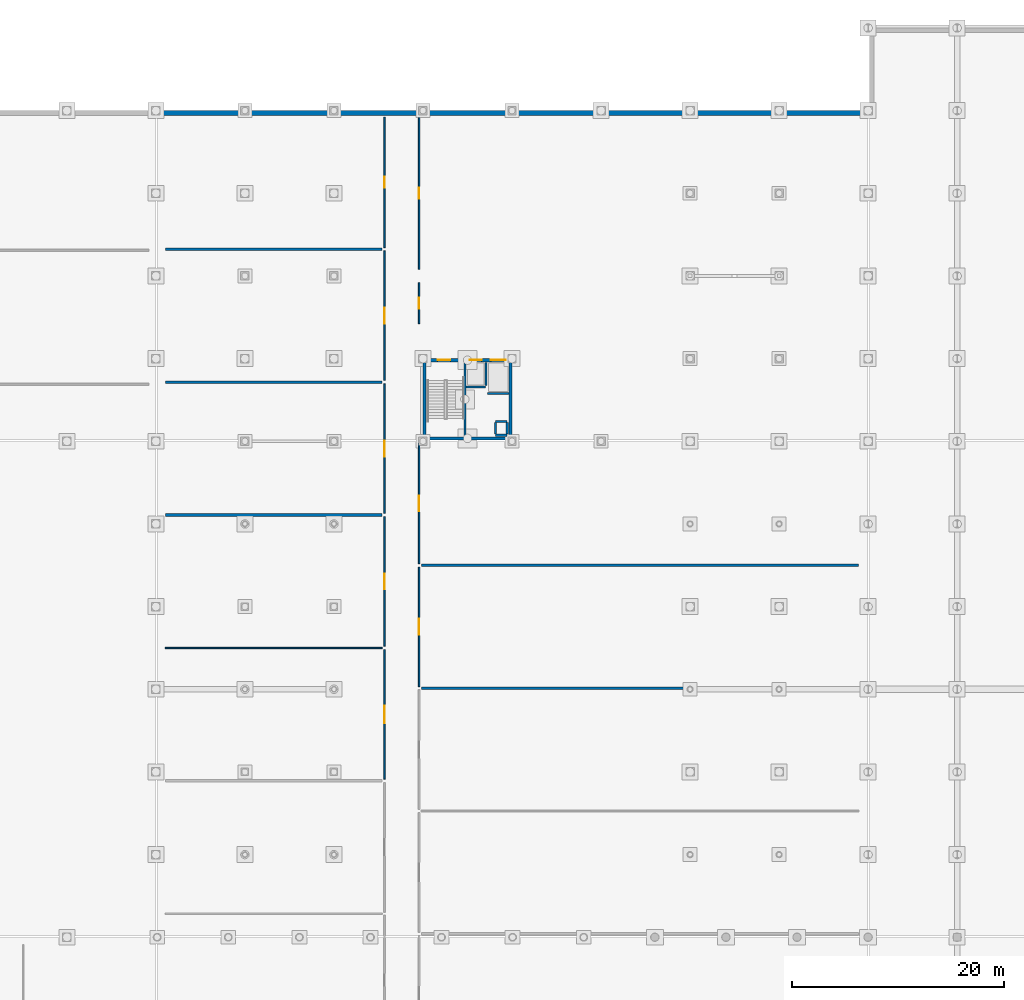
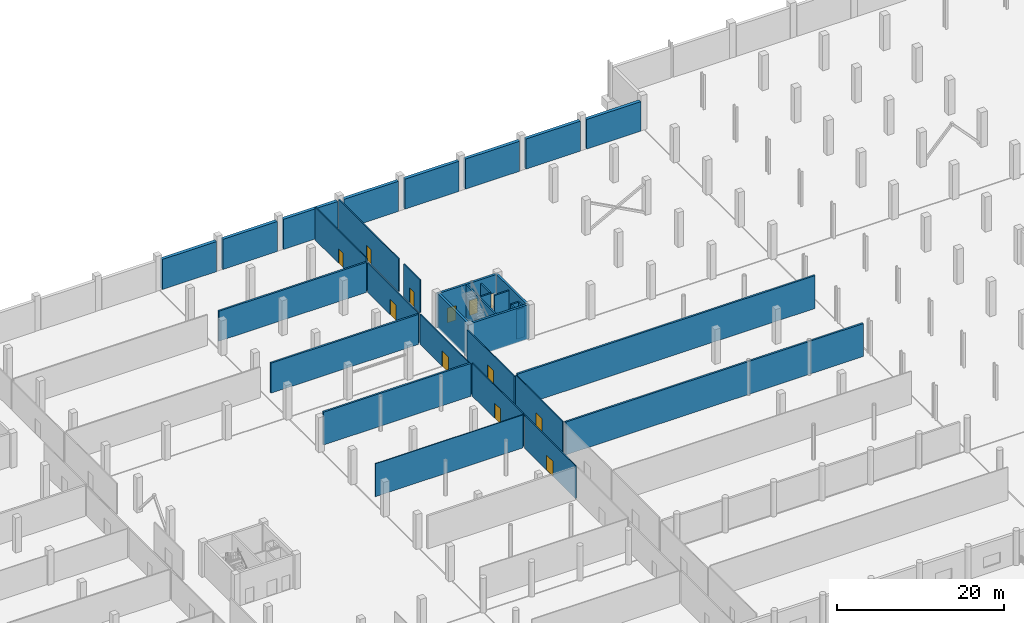
# One storey, part 31 of 48: 35 walls, 12 doors, 12 openings.
"""IFC4 building model written with IfcOpenShell, lengths in metres."""

from ifc_helpers import new_model, si_unit, direction, frame, frame_2d, origin, place, context, subcontext, project, spatial, rectangle, extrude, material, layer, layer_set, type_object, element, fill, save


model = new_model("IFC4")

# Units and contexts
model_context = context("Model", 3, precision=1e-05, world=origin(), true_north=direction((0.0, 1.0)))
body_context = subcontext(model_context, "Body", "Model", "MODEL_VIEW")
ifc_project = project(units=[si_unit("LENGTHUNIT", "METRE"), si_unit("AREAUNIT", "SQUARE_METRE"), si_unit("VOLUMEUNIT", "CUBIC_METRE"), si_unit("PLANEANGLEUNIT", "RADIAN"), si_unit("MASSUNIT", "GRAM", prefix="KILO")], contexts=[model_context])

# Site, building, storey
site_placement = place(None, origin())
site = spatial("IfcSite", under=ifc_project, at=site_placement, CompositionType="ELEMENT")
building_placement = place(site_placement, origin())
building = spatial("IfcBuilding", under=site, at=building_placement, Name="Nabrawat Pavilion Hospital", CompositionType="ELEMENT")
storey_placement = place(building_placement, frame((0.0, 0.0, -5.10009765625)))
storey = spatial("IfcBuildingStorey", under=building, at=storey_placement, Name="B1", CompositionType="ELEMENT", Elevation=-5.10009765625)

# Walls
ifc_material_1 = material(Name="Concrete C35/45", Category="concrete")
ifc_layer_1 = layer(ifc_material_1, 0.43994140625, Name="Concrete C35/45")
ifc_layer_set_1 = layer_set([ifc_layer_1], Name="Concrete C35/45")
wall_type_1 = type_object("IfcWallType", Name="Basement Deep RC Retaining Wall 440", PredefinedType="USERDEFINED", material=ifc_layer_set_1)
for number, where, z_axis, x_axis, name in (
    (1, (59.239990234375, 116.780029296875, 0.0), (0.0, 0.0, 1.0), (1.0, 0.0, 0.0), "B1 Perimeter Retaining Wall 042"),
    (2, (67.639892578125, 116.780029296875, 0.0), (0.0, 0.0, 1.0), (1.0, 0.0, 0.0), "B1 Perimeter Retaining Wall 043"),
    (3, (76.0400390625, 116.780029296875, 0.0), (0.0, 0.0, 1.0), (1.0, 0.0, 0.0), "B1 Perimeter Retaining Wall 044"),
    (4, (84.43994140625, 116.780029296875, 0.0), (0.0, 0.0, 1.0), (1.0, 0.0, 0.0), "B1 Perimeter Retaining Wall 045"),
    (5, (92.840087890625, 116.780029296875, 0.0), (0.0, 0.0, 1.0), (1.0, 0.0, 0.0), "B1 Perimeter Retaining Wall 046"),
    (6, (101.239990234375, 116.780029296875, 0.0), (0.0, 0.0, 1.0), (1.0, 0.0, 0.0), "B1 Perimeter Retaining Wall 047"),
    (7, (109.639892578125, 116.780029296875, 0.0), (0.0, 0.0, 1.0), (1.0, 0.0, 0.0), "B1 Perimeter Retaining Wall 048"),
):
    element("IfcWall", number, at=place(storey_placement, frame(where, z_axis=z_axis, x_axis=x_axis)), inside=storey, type_object=wall_type_1, Name=name, ObjectType="RETAININGWALL", PredefinedType="USERDEFINED", context=body_context, shape_type="SweptSolid", body=[
        extrude(rectangle(XDim=7.52001953125, YDim=0.43994140625, at=frame_2d((3.760009765625, 0.0))), origin(), (0.0, 0.0, 1.0), 4.41015625),
    ])
wall_1_placement = place(storey_placement, frame((118.0400390625, 116.780029296875, 0.0), z_axis=(0.0, 0.0, 1.0), x_axis=(1.0, 0.0, 0.0)))
element("IfcWall", 8, at=wall_1_placement, inside=storey, type_object=wall_type_1, Name="B1 Perimeter Retaining Wall 049", ObjectType="RETAININGWALL", PredefinedType="USERDEFINED", context=body_context, shape_type="SweptSolid", body=[
    extrude(rectangle(XDim=7.52001953125, YDim=0.43994140625, at=frame_2d((3.760009765625, 0.0))), origin(), (0.0, 0.0, 1.0), 4.330078125),
])
ifc_layer_2 = layer(ifc_material_1, 0.25, Name="Concrete C35/45")
ifc_layer_set_2 = layer_set([ifc_layer_2], Name="Concrete C35/45")
wall_type_2 = type_object("IfcWallType", Name="Basement Plant Acoustic Masonry Wall 250", PredefinedType="PARTITIONING", material=ifc_layer_set_2)
wall_2_placement = place(storey_placement, frame((59.68994140625, 78.840087890625, 0.0), z_axis=(0.0, 0.0, 1.0), x_axis=(1.0, 0.0, 0.0)))
element("IfcWall", 9, at=wall_2_placement, inside=storey, type_object=wall_type_2, Name="B1 Reverse Osmosis Dialysis Water Plant Room B1-05 Dividing Partition", PredefinedType="PARTITIONING", context=body_context, shape_type="SweptSolid", body=[
    extrude(rectangle(XDim=20.449951171875, YDim=0.25, at=frame_2d((10.22509765625, 0.0))), origin(), (0.0, 0.0, 1.0), 4.820068359375),
])
for number, where, z_axis, x_axis, name in (
    (10, (59.68994140625, 91.3798828125, 0.0), (0.0, 0.0, 1.0), (1.0, 0.0, 0.0), "B1 Sprinkler Pump and Fire Tank Plant Room B1-06 Dividing Partition"),
    (11, (59.68994140625, 103.919921875, 0.0), (0.0, 0.0, 1.0), (1.0, 0.0, 0.0), "B1 Medium Voltage Substation Switchgear Room B1-07 Dividing Partition"),
):
    element("IfcWall", number, at=place(storey_placement, frame(where, z_axis=z_axis, x_axis=x_axis)), inside=storey, type_object=wall_type_2, Name=name, PredefinedType="PARTITIONING", context=body_context, shape_type="SweptSolid", body=[
        extrude(rectangle(XDim=20.449951171875, YDim=0.25, at=frame_2d((10.22509765625, 0.0))), origin(), (0.0, 0.0, 1.0), 4.400146484375),
    ])
for number, where, z_axis, x_axis, name in (
    (12, (83.860107421875, 62.5, 0.0), (0.0, 0.0, 1.0), (1.0, 0.0, 0.0), "B1 Reverse Osmosis Dialysis Water Plant Room B1-12 Dividing Partition"),
    (13, (83.860107421875, 74.090087890625, 0.0), (0.0, 0.0, 1.0), (1.0, 0.0, 0.0), "B1 Sprinkler Pump and Fire Tank Plant Room B1-13 Dividing Partition"),
):
    element("IfcWall", number, at=place(storey_placement, frame(where, z_axis=z_axis, x_axis=x_axis)), inside=storey, type_object=wall_type_2, Name=name, PredefinedType="PARTITIONING", context=body_context, shape_type="SweptSolid", body=[
        extrude(rectangle(XDim=41.25, YDim=0.25, at=frame_2d((20.625, 0.0))), origin(), (0.0, 0.0, 1.0), 4.820068359375),
    ])

# Wall, opening, door
ifc_material_2 = material(Name="Gypsum Fireboard on Steel Stud", Category="steel")
ifc_layer_3 = layer(ifc_material_2, 0.14990234375, Name="Gypsum Fireboard on Steel Stud")
ifc_layer_set_3 = layer_set([ifc_layer_3], Name="Gypsum Fireboard on Steel Stud")
wall_type_3 = type_object("IfcWallType", Name="Clinical Corridor Smoke-Barrier Wall 150", PredefinedType="PARTITIONING", material=ifc_layer_set_3)
wall_3_placement = place(storey_placement, frame((80.360107421875, 53.919921875, 0.0), z_axis=(0.0, 0.0, 1.0), x_axis=(0.0, 1.0, 0.0)))
wall_3 = element("IfcWall", 14, at=wall_3_placement, inside=storey, type_object=wall_type_3, Name="B1 Bulk Surgical Consumables Warehouse B1-04 Front Partition", PredefinedType="PARTITIONING", context=body_context, shape_type="SweptSolid", body=[
    extrude(rectangle(XDim=12.219970703125, YDim=0.14990234375, at=frame_2d((6.10986328125, 0.0))), origin(), (0.0, 0.0, 1.0), 4.820068359375),
])
opening_1_placement = place(wall_3_placement, frame((5.284912109375, 0.0, 0.0)))
opening_1 = element("IfcOpeningElement", 15, at=opening_1_placement, cuts=wall_3, Name="Opening D-STRG", PredefinedType="OPENING", context=body_context, shape_type="SweptSolid", body=[
    extrude(rectangle(XDim=1.64990234375, YDim=2.199951171875, at=frame_2d((0.824951171875, 1.10009765625))), frame((0.0, 0.0849609375, 0.0), z_axis=(0.0, -1.0, 0.0), x_axis=(1.0, 0.0, 0.0)), (0.0, 0.0, 1.0), 0.169921875),
])
ifc_material_3 = material(Name="Stainless-Clad Acoustic Timber and Vision Glass", Category="wood")
door_type_1 = type_object("IfcDoorType", Name="Bulk Medical Store Double Door 1650x2200", OperationType="NOTDEFINED", PredefinedType="DOOR", material=ifc_material_3)
door_1_placement = place(opening_1_placement, origin())
door_1 = element("IfcDoor", 16, at=door_1_placement, inside=storey, type_object=door_type_1, Name="Bulk Surgical Consumables Warehouse B1-04 Door", OperationType="DOUBLE_DOOR_SINGLE_SWING", OverallHeight=2.199951171875, OverallWidth=1.64990234375, PredefinedType="DOOR", context=body_context, shape_type="SweptSolid", body=[
    extrude(rectangle(XDim=1.64990234375, YDim=2.199951171875, at=frame_2d((0.824951171875, 1.10009765625))), frame((0.0, 0.02490234375, 0.0), z_axis=(0.0, -1.0, 0.0), x_axis=(1.0, 0.0, 0.0)), (0.0, 0.0, 1.0), 0.050048828125),
])
fill(opening_1, door_1)

wall_4_placement = place(storey_placement, frame((80.360107421875, 66.4599609375, 0.0), z_axis=(0.0, 0.0, 1.0), x_axis=(0.0, 1.0, 0.0)))
wall_4 = element("IfcWall", 17, at=wall_4_placement, inside=storey, type_object=wall_type_3, Name="B1 Reverse Osmosis Dialysis Water Plant Room B1-05 Front Partition", PredefinedType="PARTITIONING", context=body_context, shape_type="SweptSolid", body=[
    extrude(rectangle(XDim=12.219970703125, YDim=0.14990234375, at=frame_2d((6.10986328125, 0.0))), origin(), (0.0, 0.0, 1.0), 4.820068359375),
])
opening_2_placement = place(wall_4_placement, frame((5.360107421875, 0.0, 0.0)))
opening_2 = element("IfcOpeningElement", 18, at=opening_2_placement, cuts=wall_4, Name="Opening D-PLANT", PredefinedType="OPENING", context=body_context, shape_type="SweptSolid", body=[
    extrude(rectangle(XDim=1.5, YDim=2.25, at=frame_2d((0.75, 1.125))), frame((0.0, 0.0849609375, 0.0), z_axis=(0.0, -1.0, 0.0), x_axis=(1.0, 0.0, 0.0)), (0.0, 0.0, 1.0), 0.169921875),
])
door_type_2 = type_object("IfcDoorType", Name="D-PLANT Heavy Plant Room Steel Fire Door 1500x2250", OperationType="NOTDEFINED", PredefinedType="DOOR", material=ifc_material_3)
door_2_placement = place(opening_2_placement, origin())
door_2 = element("IfcDoor", 19, at=door_2_placement, inside=storey, type_object=door_type_2, Name="Reverse Osmosis Dialysis Water Plant Room B1-05 Door", OperationType="DOUBLE_DOOR_SINGLE_SWING", OverallHeight=2.25, OverallWidth=1.5, PredefinedType="DOOR", context=body_context, shape_type="SweptSolid", body=[
    extrude(rectangle(XDim=1.5, YDim=2.25, at=frame_2d((0.75, 1.125))), frame((0.0, 0.02490234375, 0.0), z_axis=(0.0, -1.0, 0.0), x_axis=(1.0, 0.0, 0.0)), (0.0, 0.0, 1.0), 0.050048828125),
])
fill(opening_2, door_2)

wall_5_placement = place(storey_placement, frame((80.360107421875, 79.0, 0.0), z_axis=(0.0, 0.0, 1.0), x_axis=(0.0, 1.0, 0.0)))
wall_5 = element("IfcWall", 20, at=wall_5_placement, inside=storey, type_object=wall_type_3, Name="B1 Sprinkler Pump and Fire Tank Plant Room B1-06 Front Partition", PredefinedType="PARTITIONING", context=body_context, shape_type="SweptSolid", body=[
    extrude(rectangle(XDim=12.219970703125, YDim=0.14990234375, at=frame_2d((6.10986328125, 0.0))), origin(), (0.0, 0.0, 1.0), 4.41015625),
])
opening_3_placement = place(wall_5_placement, frame((5.360107421875, 0.0, 0.0)))
opening_3 = element("IfcOpeningElement", 21, at=opening_3_placement, cuts=wall_5, Name="Opening D-PLANT", PredefinedType="OPENING", context=body_context, shape_type="SweptSolid", body=[
    extrude(rectangle(XDim=1.5, YDim=2.25, at=frame_2d((0.75, 1.125))), frame((0.0, 0.0849609375, 0.0), z_axis=(0.0, -1.0, 0.0), x_axis=(1.0, 0.0, 0.0)), (0.0, 0.0, 1.0), 0.169921875),
])
door_3_placement = place(opening_3_placement, origin())
door_3 = element("IfcDoor", 22, at=door_3_placement, inside=storey, type_object=door_type_2, Name="Sprinkler Pump and Fire Tank Plant Room B1-06 Door", OperationType="DOUBLE_DOOR_SINGLE_SWING", OverallHeight=2.25, OverallWidth=1.5, PredefinedType="DOOR", context=body_context, shape_type="SweptSolid", body=[
    extrude(rectangle(XDim=1.5, YDim=2.25, at=frame_2d((0.75, 1.125))), frame((0.0, 0.02490234375, 0.0), z_axis=(0.0, -1.0, 0.0), x_axis=(1.0, 0.0, 0.0)), (0.0, 0.0, 1.0), 0.050048828125),
])
fill(opening_3, door_3)

wall_6_placement = place(storey_placement, frame((80.360107421875, 91.5400390625, 0.0), z_axis=(0.0, 0.0, 1.0), x_axis=(0.0, 1.0, 0.0)))
wall_6 = element("IfcWall", 23, at=wall_6_placement, inside=storey, type_object=wall_type_3, Name="B1 Medium Voltage Substation Switchgear Room B1-07 Front Partition", PredefinedType="PARTITIONING", context=body_context, shape_type="SweptSolid", body=[
    extrude(rectangle(XDim=12.219970703125, YDim=0.14990234375, at=frame_2d((6.10986328125, 0.0))), origin(), (0.0, 0.0, 1.0), 4.31005859375),
])
opening_4_placement = place(wall_6_placement, frame((5.360107421875, 0.0, 0.0)))
opening_4 = element("IfcOpeningElement", 24, at=opening_4_placement, cuts=wall_6, Name="Opening D-PLANT", PredefinedType="OPENING", context=body_context, shape_type="SweptSolid", body=[
    extrude(rectangle(XDim=1.5, YDim=2.25, at=frame_2d((0.75, 1.125))), frame((0.0, 0.0849609375, 0.0), z_axis=(0.0, -1.0, 0.0), x_axis=(1.0, 0.0, 0.0)), (0.0, 0.0, 1.0), 0.169921875),
])
door_4_placement = place(opening_4_placement, origin())
door_4 = element("IfcDoor", 25, at=door_4_placement, inside=storey, type_object=door_type_2, Name="Medium Voltage Substation Switchgear Room B1-07 Door", OperationType="DOUBLE_DOOR_SINGLE_SWING", OverallHeight=2.25, OverallWidth=1.5, PredefinedType="DOOR", context=body_context, shape_type="SweptSolid", body=[
    extrude(rectangle(XDim=1.5, YDim=2.25, at=frame_2d((0.75, 1.125))), frame((0.0, 0.02490234375, 0.0), z_axis=(0.0, -1.0, 0.0), x_axis=(1.0, 0.0, 0.0)), (0.0, 0.0, 1.0), 0.050048828125),
])
fill(opening_4, door_4)

wall_7_placement = place(storey_placement, frame((80.360107421875, 104.080078125, 0.0), z_axis=(0.0, 0.0, 1.0), x_axis=(0.0, 1.0, 0.0)))
wall_7 = element("IfcWall", 26, at=wall_7_placement, inside=storey, type_object=wall_type_3, Name="B1 Metro Tunnel Pedestrian Concourse Reception B1-08 Front Partition", PredefinedType="PARTITIONING", context=body_context, shape_type="SweptSolid", body=[
    extrude(rectangle(XDim=12.2998046875, YDim=0.14990234375, at=frame_2d((6.14990234375, 0.0))), origin(), (0.0, 0.0, 1.0), 4.800048828125),
])
opening_5_placement = place(wall_7_placement, frame((5.625, 0.0, 0.0)))
opening_5 = element("IfcOpeningElement", 27, at=opening_5_placement, cuts=wall_7, Name="Opening D-OPC-L", PredefinedType="OPENING", context=body_context, shape_type="SweptSolid", body=[
    extrude(rectangle(XDim=1.050048828125, YDim=2.14990234375, at=frame_2d((0.52490234375, 1.074951171875))), frame((0.0, 0.0849609375, 0.0), z_axis=(0.0, -1.0, 0.0), x_axis=(1.0, 0.0, 0.0)), (0.0, 0.0, 1.0), 0.169921875),
])
door_type_3 = type_object("IfcDoorType", Name="Outpatient Clinic Consultation Door L 1050x2150", OperationType="NOTDEFINED", PredefinedType="DOOR", material=ifc_material_3)
door_5_placement = place(opening_5_placement, origin())
door_5 = element("IfcDoor", 28, at=door_5_placement, inside=storey, type_object=door_type_3, Name="Metro Tunnel Pedestrian Concourse Reception B1-08 Door", OperationType="SINGLE_SWING_RIGHT", OverallHeight=2.14990234375, OverallWidth=1.050048828125, PredefinedType="DOOR", context=body_context, shape_type="SweptSolid", body=[
    extrude(rectangle(XDim=1.050048828125, YDim=2.14990234375, at=frame_2d((0.52490234375, 1.074951171875))), frame((0.0, 0.02490234375, 0.0), z_axis=(0.0, -1.0, 0.0), x_axis=(1.0, 0.0, 0.0)), (0.0, 0.0, 1.0), 0.050048828125),
])
fill(opening_5, door_5)

wall_8_placement = place(storey_placement, frame((83.639892578125, 62.659912109375, 0.0), z_axis=(0.0, 0.0, 1.0), x_axis=(0.0, 1.0, 0.0)))
wall_8 = element("IfcWall", 29, at=wall_8_placement, inside=storey, type_object=wall_type_3, Name="B1 Sprinkler Pump and Fire Tank Plant Room B1-13 Front Partition", PredefinedType="PARTITIONING", context=body_context, shape_type="SweptSolid", body=[
    extrude(rectangle(XDim=11.27001953125, YDim=0.14990234375, at=frame_2d((5.635009765625, 0.0))), origin(), (0.0, 0.0, 1.0), 4.820068359375),
])
opening_6_placement = place(wall_8_placement, frame((4.885009765625, 0.0, 0.0)))
opening_6 = element("IfcOpeningElement", 30, at=opening_6_placement, cuts=wall_8, Name="Opening D-PLANT", PredefinedType="OPENING", context=body_context, shape_type="SweptSolid", body=[
    extrude(rectangle(XDim=1.5, YDim=2.25, at=frame_2d((0.75, 1.125))), frame((0.0, 0.0849609375, 0.0), z_axis=(0.0, -1.0, 0.0), x_axis=(1.0, 0.0, 0.0)), (0.0, 0.0, 1.0), 0.169921875),
])
door_6_placement = place(opening_6_placement, origin())
door_6 = element("IfcDoor", 31, at=door_6_placement, inside=storey, type_object=door_type_2, Name="Sprinkler Pump and Fire Tank Plant Room B1-13 Door", OperationType="DOUBLE_DOOR_SINGLE_SWING", OverallHeight=2.25, OverallWidth=1.5, PredefinedType="DOOR", context=body_context, shape_type="SweptSolid", body=[
    extrude(rectangle(XDim=1.5, YDim=2.25, at=frame_2d((0.75, 1.125))), frame((0.0, 0.02490234375, 0.0), z_axis=(0.0, -1.0, 0.0), x_axis=(1.0, 0.0, 0.0)), (0.0, 0.0, 1.0), 0.050048828125),
])
fill(opening_6, door_6)

wall_9_placement = place(storey_placement, frame((83.639892578125, 74.25, 0.0), z_axis=(0.0, 0.0, 1.0), x_axis=(0.0, 1.0, 0.0)))
wall_9 = element("IfcWall", 32, at=wall_9_placement, inside=storey, type_object=wall_type_3, Name="B1 Medium Voltage Substation Switchgear Room B1-14 Front Partition", PredefinedType="PARTITIONING", context=body_context, shape_type="SweptSolid", body=[
    extrude(rectangle(XDim=11.35009765625, YDim=0.14990234375, at=frame_2d((5.675048828125, 0.0))), origin(), (0.0, 0.0, 1.0), 4.41015625),
])
opening_7_placement = place(wall_9_placement, frame((4.925048828125, 0.0, 0.0)))
opening_7 = element("IfcOpeningElement", 33, at=opening_7_placement, cuts=wall_9, Name="Opening D-PLANT", PredefinedType="OPENING", context=body_context, shape_type="SweptSolid", body=[
    extrude(rectangle(XDim=1.5, YDim=2.25, at=frame_2d((0.75, 1.125))), frame((0.0, 0.0849609375, 0.0), z_axis=(0.0, -1.0, 0.0), x_axis=(1.0, 0.0, 0.0)), (0.0, 0.0, 1.0), 0.169921875),
])
door_7_placement = place(opening_7_placement, origin())
door_7 = element("IfcDoor", 34, at=door_7_placement, inside=storey, type_object=door_type_2, Name="Medium Voltage Substation Switchgear Room B1-14 Door", OperationType="DOUBLE_DOOR_SINGLE_SWING", OverallHeight=2.25, OverallWidth=1.5, PredefinedType="DOOR", context=body_context, shape_type="SweptSolid", body=[
    extrude(rectangle(XDim=1.5, YDim=2.25, at=frame_2d((0.75, 1.125))), frame((0.0, 0.02490234375, 0.0), z_axis=(0.0, -1.0, 0.0), x_axis=(1.0, 0.0, 0.0)), (0.0, 0.0, 1.0), 0.050048828125),
])
fill(opening_7, door_7)

wall_10_placement = place(storey_placement, frame((83.639892578125, 96.89990234375, 0.0), z_axis=(0.0, 0.0, 1.0), x_axis=(0.0, 1.0, 0.0)))
wall_10 = element("IfcWall", 35, at=wall_10_placement, inside=storey, type_object=wall_type_3, Name="B1 Metro Tunnel Pedestrian Concourse Reception B1-15 Front Partition", PredefinedType="PARTITIONING", context=body_context, shape_type="SweptSolid", body=[
    extrude(rectangle(XDim=3.880126953125, YDim=0.14990234375, at=frame_2d((1.93994140625, 0.0))), origin(), (0.0, 0.0, 1.0), 4.800048828125),
])
opening_8_placement = place(wall_10_placement, frame((1.4150390625, 0.0, 0.0)))
opening_8 = element("IfcOpeningElement", 36, at=opening_8_placement, cuts=wall_10, Name="Opening D-OPC-R", PredefinedType="OPENING", context=body_context, shape_type="SweptSolid", body=[
    extrude(rectangle(XDim=1.050048828125, YDim=2.14990234375, at=frame_2d((0.52490234375, 1.074951171875))), frame((0.0, 0.0849609375, 0.0), z_axis=(0.0, -1.0, 0.0), x_axis=(1.0, 0.0, 0.0)), (0.0, 0.0, 1.0), 0.169921875),
])
door_type_4 = type_object("IfcDoorType", Name="Outpatient Clinic Consultation Door R 1050x2150", OperationType="NOTDEFINED", PredefinedType="DOOR", material=ifc_material_3)
door_8_placement = place(opening_8_placement, origin())
door_8 = element("IfcDoor", 37, at=door_8_placement, inside=storey, type_object=door_type_4, Name="Metro Tunnel Pedestrian Concourse Reception B1-15 Door", OperationType="SINGLE_SWING_LEFT", OverallHeight=2.14990234375, OverallWidth=1.050048828125, PredefinedType="DOOR", context=body_context, shape_type="SweptSolid", body=[
    extrude(rectangle(XDim=1.050048828125, YDim=2.14990234375, at=frame_2d((0.52490234375, 1.074951171875))), frame((0.0, 0.02490234375, 0.0), z_axis=(0.0, -1.0, 0.0), x_axis=(1.0, 0.0, 0.0)), (0.0, 0.0, 1.0), 0.050048828125),
])
fill(opening_8, door_8)

wall_11_placement = place(storey_placement, frame((83.639892578125, 102.02001953125, 0.0), z_axis=(0.0, 0.0, 1.0), x_axis=(0.0, 1.0, 0.0)))
wall_11 = element("IfcWall", 38, at=wall_11_placement, inside=storey, type_object=wall_type_3, Name="B1 Staff Secure Bicycle Storage and Changing Room B1-16 Front Partition", PredefinedType="PARTITIONING", context=body_context, shape_type="SweptSolid", body=[
    extrude(rectangle(XDim=14.35986328125, YDim=0.14990234375, at=frame_2d((7.179931640625, 0.0))), origin(), (0.0, 0.0, 1.0), 4.800048828125),
])
opening_9_placement = place(wall_11_placement, frame((6.655029296875, 0.0, 0.0)))
opening_9 = element("IfcOpeningElement", 39, at=opening_9_placement, cuts=wall_11, Name="Opening D-OPC-L", PredefinedType="OPENING", context=body_context, shape_type="SweptSolid", body=[
    extrude(rectangle(XDim=1.050048828125, YDim=2.14990234375, at=frame_2d((0.52490234375, 1.074951171875))), frame((0.0, 0.0849609375, 0.0), z_axis=(0.0, -1.0, 0.0), x_axis=(1.0, 0.0, 0.0)), (0.0, 0.0, 1.0), 0.169921875),
])
door_9_placement = place(opening_9_placement, origin())
door_9 = element("IfcDoor", 40, at=door_9_placement, inside=storey, type_object=door_type_3, Name="Staff Secure Bicycle Storage and Changing Room B1-16 Door", OperationType="SINGLE_SWING_RIGHT", OverallHeight=2.14990234375, OverallWidth=1.050048828125, PredefinedType="DOOR", context=body_context, shape_type="SweptSolid", body=[
    extrude(rectangle(XDim=1.050048828125, YDim=2.14990234375, at=frame_2d((0.52490234375, 1.074951171875))), frame((0.0, 0.02490234375, 0.0), z_axis=(0.0, -1.0, 0.0), x_axis=(1.0, 0.0, 0.0)), (0.0, 0.0, 1.0), 0.050048828125),
])
fill(opening_9, door_9)

# Walls
ifc_layer_4 = layer(ifc_material_1, 0.199951171875, Name="Concrete C35/45")
ifc_layer_set_4 = layer_set([ifc_layer_4], Name="Concrete C35/45")
wall_type_4 = type_object("IfcWallType", Name="Lift and Riser Fire Shaft Wall 200", PredefinedType="PARTITIONING", material=ifc_layer_set_4)
wall_12_placement = place(storey_placement, frame((87.949951171875, 86.239990234375, -0.219970703125), z_axis=(0.0, 0.0, 1.0), x_axis=(0.0, 1.0, 0.0)))
element("IfcWall", 41, at=wall_12_placement, inside=storey, type_object=wall_type_4, Name="B1 CORE-3 Stair-Lift Dividing Shear Wall", PredefinedType="SHEAR", context=body_context, shape_type="SweptSolid", body=[
    extrude(rectangle(XDim=7.0400390625, YDim=0.199951171875, at=frame_2d((3.52001953125, 0.0))), origin(), (0.0, 0.0, 1.0), 5.0400390625),
])
for number, where, z_axis, x_axis, name in (
    (42, (90.85009765625, 86.3701171875, 0.0), (0.0, 0.0, 1.0), (1.0, 0.0, 0.0), "B1 CORE-3 MEP Riser Shaft Wall S"),
    (43, (90.85009765625, 87.669921875, 0.0), (0.0, 0.0, 1.0), (1.0, 0.0, 0.0), "B1 CORE-3 MEP Riser Shaft Wall N"),
):
    element("IfcWall", number, at=place(storey_placement, frame(where, z_axis=z_axis, x_axis=x_axis)), inside=storey, type_object=wall_type_4, Name=name, PredefinedType="PARTITIONING", context=body_context, shape_type="SweptSolid", body=[
        extrude(rectangle(XDim=1.099853515625, YDim=0.199951171875, at=frame_2d((0.5498046875, 0.0))), origin(), (0.0, 0.0, 1.0), 4.31005859375),
    ])
for number, where, z_axis, x_axis, name in (
    (44, (90.85009765625, 86.489990234375, 0.0), (0.0, 0.0, 1.0), (0.0, 1.0, 0.0), "B1 CORE-3 MEP Riser Shaft Wall W"),
    (45, (91.949951171875, 86.489990234375, 0.0), (0.0, 0.0, 1.0), (0.0, 1.0, 0.0), "B1 CORE-3 MEP Riser Shaft Wall E"),
):
    element("IfcWall", number, at=place(storey_placement, frame(where, z_axis=z_axis, x_axis=x_axis)), inside=storey, type_object=wall_type_4, Name=name, PredefinedType="PARTITIONING", context=body_context, shape_type="SweptSolid", body=[
        extrude(rectangle(XDim=1.06005859375, YDim=0.199951171875, at=frame_2d((0.530029296875, 0.0))), origin(), (0.0, 0.0, 1.0), 4.31005859375),
    ])
wall_13_placement = place(storey_placement, frame((89.93994140625, 91.080078125, 0.0), z_axis=(0.0, 0.0, 1.0), x_axis=(0.0, 1.0, 0.0)))
element("IfcWall", 46, at=wall_13_placement, inside=storey, type_object=wall_type_4, Name="B1 Lift LP-02 Shaft East Wall", PredefinedType="PARTITIONING", context=body_context, shape_type="SweptSolid", body=[
    extrude(rectangle(XDim=2.139892578125, YDim=0.199951171875, at=frame_2d((1.06982421875, 0.0))), origin(), (0.0, 0.0, 1.0), 4.31005859375),
])
wall_14_placement = place(storey_placement, frame((88.050048828125, 90.919921875, 0.0), z_axis=(0.0, 0.0, 1.0), x_axis=(1.0, 0.0, 0.0)))
element("IfcWall", 47, at=wall_14_placement, inside=storey, type_object=wall_type_4, Name="B1 Lift LP-02 Shaft Back Wall", PredefinedType="PARTITIONING", context=body_context, shape_type="SweptSolid", body=[
    extrude(rectangle(XDim=1.85986328125, YDim=0.199951171875, at=frame_2d((0.929931640625, 0.0))), origin(), (0.0, 0.0, 1.0), 4.31005859375),
])
wall_15_placement = place(storey_placement, frame((90.070068359375, 90.320068359375, 0.0), z_axis=(0.0, 0.0, 1.0), x_axis=(1.0, 0.0, 0.0)))
element("IfcWall", 48, at=wall_15_placement, inside=storey, type_object=wall_type_4, Name="B1 Lift LB-02 Shaft Back Wall", PredefinedType="PARTITIONING", context=body_context, shape_type="SweptSolid", body=[
    extrude(rectangle(XDim=2.059814453125, YDim=0.199951171875, at=frame_2d((1.02978515625, 0.0))), origin(), (0.0, 0.0, 1.0), 4.31005859375),
])
ifc_material_4 = material(Name="Gypsum Plasterboard on Stud", Category="gypsum")
ifc_layer_5 = layer(ifc_material_4, 0.1201171875, Name="Gypsum Plasterboard on Stud")
ifc_layer_set_5 = layer_set([ifc_layer_5], Name="Gypsum Plasterboard on Stud")
wall_type_5 = type_object("IfcWallType", Name="Outpatient Consultation Partition 120", PredefinedType="PARTITIONING", material=ifc_layer_set_5)
wall_16_placement = place(storey_placement, frame((59.68994140625, 66.300048828125, 0.0), z_axis=(0.0, 0.0, 1.0), x_axis=(1.0, 0.0, 0.0)))
element("IfcWall", 49, at=wall_16_placement, inside=storey, type_object=wall_type_5, Name="B1 Bulk Surgical Consumables Warehouse B1-04 Dividing Partition", PredefinedType="PARTITIONING", context=body_context, shape_type="SweptSolid", body=[
    extrude(rectangle(XDim=20.449951171875, YDim=0.1201171875, at=frame_2d((10.22509765625, 0.0))), origin(), (0.0, 0.0, 1.0), 4.820068359375),
])
ifc_material_5 = material(Name="Concrete C40/50", Category="concrete")
ifc_layer_6 = layer(ifc_material_5, 0.300048828125, Name="Concrete C40/50")
ifc_layer_set_6 = layer_set([ifc_layer_6], Name="Concrete C40/50")
wall_type_6 = type_object("IfcWallType", Name="Reinforced Concrete Core Shear Wall 300", PredefinedType="SHEAR", material=ifc_layer_set_6)
wall_17_placement = place(storey_placement, frame((84.0, 86.070068359375, -0.219970703125), z_axis=(0.0, 0.0, 1.0), x_axis=(1.0, 0.0, 0.0)))
element("IfcWall", 50, at=wall_17_placement, inside=storey, type_object=wall_type_6, Name="B1 CORE-3 South Core Shear Wall", PredefinedType="SHEAR", context=body_context, shape_type="SweptSolid", body=[
    extrude(rectangle(XDim=8.39990234375, YDim=0.300048828125, at=frame_2d((4.199951171875, 0.0))), origin(), (0.0, 0.0, 1.0), 5.0400390625),
])

# Wall, openings, doors
wall_18_placement = place(storey_placement, frame((84.0, 93.449951171875, -0.219970703125), z_axis=(0.0, 0.0, 1.0), x_axis=(1.0, 0.0, 0.0)))
wall_18 = element("IfcWall", 51, at=wall_18_placement, inside=storey, type_object=wall_type_6, Name="B1 CORE-3 North Core Shear Wall", PredefinedType="SHEAR", context=body_context, shape_type="SweptSolid", body=[
    extrude(rectangle(XDim=8.39990234375, YDim=0.300048828125, at=frame_2d((4.199951171875, 0.0))), origin(), (0.0, 0.0, 1.0), 5.0400390625),
])
opening_10_placement = place(wall_18_placement, frame((1.3798828125, 0.0, 0.219970703125)))
opening_10 = element("IfcOpeningElement", 52, at=opening_10_placement, cuts=wall_18, Name="Opening D-STAIR", PredefinedType="OPENING", context=body_context, shape_type="SweptSolid", body=[
    extrude(rectangle(XDim=1.199951171875, YDim=2.14990234375, at=frame_2d((0.60009765625, 1.074951171875))), frame((0.0, 0.16015625, 0.0), z_axis=(0.0, -1.0, 0.0), x_axis=(1.0, 0.0, 0.0)), (0.0, 0.0, 1.0), 0.320068359375),
])
opening_11_placement = place(wall_18_placement, frame((4.429931640625, 0.0, 0.219970703125)))
opening_11 = element("IfcOpeningElement", 53, at=opening_11_placement, cuts=wall_18, Name="Opening LD-LP-02", PredefinedType="OPENING", context=body_context, shape_type="SweptSolid", body=[
    extrude(rectangle(XDim=1.10009765625, YDim=2.14990234375, at=frame_2d((0.550048828125, 1.074951171875))), frame((0.0, 0.16015625, 0.0), z_axis=(0.0, -1.0, 0.0), x_axis=(1.0, 0.0, 0.0)), (0.0, 0.0, 1.0), 0.320068359375),
])
opening_12_placement = place(wall_18_placement, frame((6.39990234375, 0.0, 0.219970703125)))
opening_12 = element("IfcOpeningElement", 54, at=opening_12_placement, cuts=wall_18, Name="Opening LD-LB-02", PredefinedType="OPENING", context=body_context, shape_type="SweptSolid", body=[
    extrude(rectangle(XDim=1.39990234375, YDim=2.199951171875, at=frame_2d((0.699951171875, 1.10009765625))), frame((0.0, 0.16015625, 0.0), z_axis=(0.0, -1.0, 0.0), x_axis=(1.0, 0.0, 0.0)), (0.0, 0.0, 1.0), 0.320068359375),
])
door_type_5 = type_object("IfcDoorType", Name="D-STAIR Exit Stair Fire Door 1200x2150", OperationType="NOTDEFINED", PredefinedType="DOOR", material=ifc_material_3)
door_10_placement = place(opening_10_placement, origin())
door_10 = element("IfcDoor", 55, at=door_10_placement, inside=storey, type_object=door_type_5, Name="B1 ST-03 Fire Exit Stair Door", OperationType="SINGLE_SWING_LEFT", OverallHeight=2.14990234375, OverallWidth=1.199951171875, PredefinedType="DOOR", context=body_context, shape_type="SweptSolid", body=[
    extrude(rectangle(XDim=1.199951171875, YDim=2.14990234375, at=frame_2d((0.60009765625, 1.074951171875))), frame((0.0, 0.02490234375, 0.0), z_axis=(0.0, -1.0, 0.0), x_axis=(1.0, 0.0, 0.0)), (0.0, 0.0, 1.0), 0.050048828125),
])
fill(opening_10, door_10)
door_type_6 = type_object("IfcDoorType", Name="Hospital Bed Lift Sliding Landing Door 1400x2200", OperationType="DOUBLE_DOOR_SLIDING", PredefinedType="DOOR", material=ifc_material_3)
door_11_placement = place(opening_12_placement, origin())
door_11 = element("IfcDoor", 56, at=door_11_placement, inside=storey, type_object=door_type_6, Name="B1 Lift LB-02 Sliding Landing Door", OperationType="DOUBLE_DOOR_SLIDING", OverallHeight=2.199951171875, OverallWidth=1.39990234375, PredefinedType="DOOR", context=body_context, shape_type="SweptSolid", body=[
    extrude(rectangle(XDim=1.39990234375, YDim=2.199951171875, at=frame_2d((0.699951171875, 1.10009765625))), frame((0.0, 0.02490234375, 0.0), z_axis=(0.0, -1.0, 0.0), x_axis=(1.0, 0.0, 0.0)), (0.0, 0.0, 1.0), 0.050048828125),
])
fill(opening_12, door_11)
door_type_7 = type_object("IfcDoorType", Name="Passenger Lift Sliding Landing Door 1100x2150", OperationType="DOUBLE_DOOR_SLIDING", PredefinedType="DOOR", material=ifc_material_3)
door_12_placement = place(opening_11_placement, origin())
door_12 = element("IfcDoor", 57, at=door_12_placement, inside=storey, type_object=door_type_7, Name="B1 Lift LP-02 Sliding Landing Door", OperationType="DOUBLE_DOOR_SLIDING", OverallHeight=2.14990234375, OverallWidth=1.10009765625, PredefinedType="DOOR", context=body_context, shape_type="SweptSolid", body=[
    extrude(rectangle(XDim=1.10009765625, YDim=2.14990234375, at=frame_2d((0.550048828125, 1.074951171875))), frame((0.0, 0.02490234375, 0.0), z_axis=(0.0, -1.0, 0.0), x_axis=(1.0, 0.0, 0.0)), (0.0, 0.0, 1.0), 0.050048828125),
])
fill(opening_11, door_12)

# Walls
for number, where, z_axis, x_axis, name in (
    (58, (84.14990234375, 86.219970703125, -0.219970703125), (0.0, 0.0, 1.0), (0.0, 1.0, 0.0), "B1 CORE-3 West Core Shear Wall"),
    (59, (92.25, 86.219970703125, -0.219970703125), (0.0, 0.0, 1.0), (0.0, 1.0, 0.0), "B1 CORE-3 East Core Shear Wall"),
):
    element("IfcWall", number, at=place(storey_placement, frame(where, z_axis=z_axis, x_axis=x_axis)), inside=storey, type_object=wall_type_6, Name=name, PredefinedType="SHEAR", context=body_context, shape_type="SweptSolid", body=[
        extrude(rectangle(XDim=7.080078125, YDim=0.300048828125, at=frame_2d((3.5400390625, 0.0))), origin(), (0.0, 0.0, 1.0), 5.0400390625),
    ])

save(model, "model.ifc")
